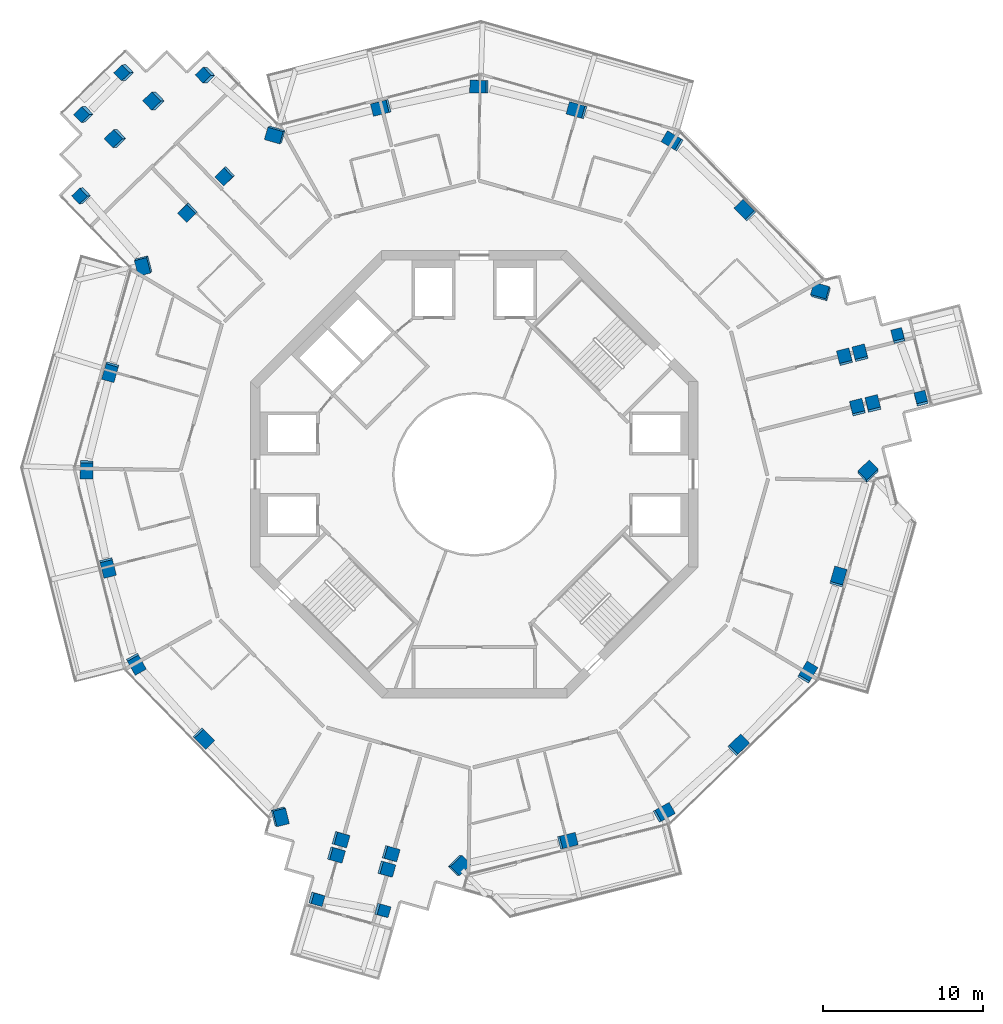
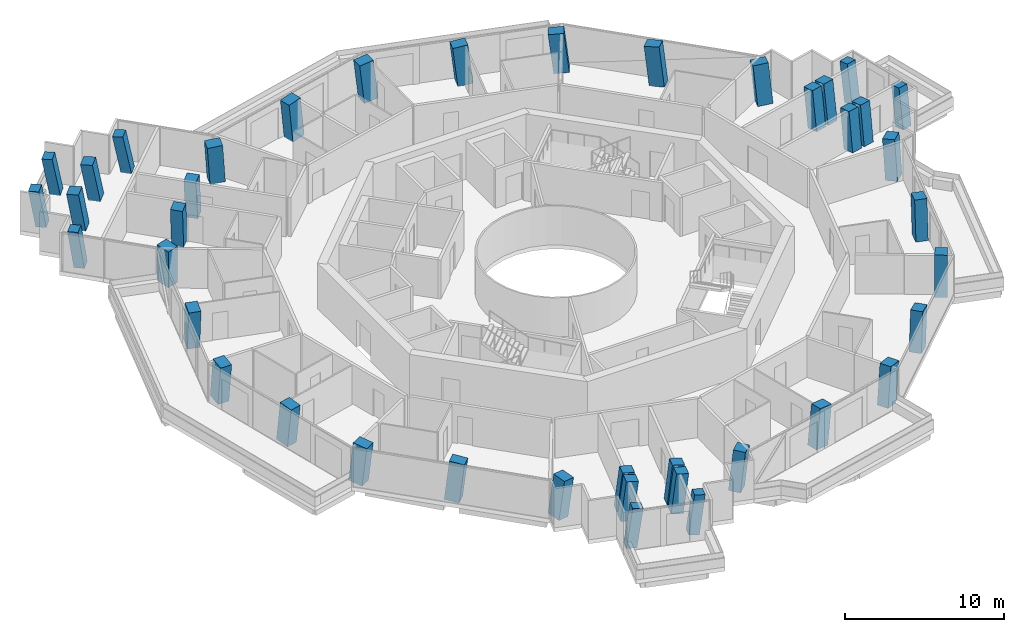
# One storey, part 1 of 24: 41 columns.
"""IFC4 building model written with IfcOpenShell, lengths in metres."""

from ifc_helpers import new_model, si_unit, direction, frame, origin, origin_2d, place, context, subcontext, project, spatial, rectangle, extrude, material, material_profile, profile_set, type_object, element, save


model = new_model("IFC4")

# Units and contexts
model_context = context("Model", 3, precision=1e-05, world=origin(), true_north=direction((0.0, 1.0)))
body_context = subcontext(model_context, "Body", "Model", "MODEL_VIEW")
ifc_project = project(units=[si_unit("LENGTHUNIT", "METRE"), si_unit("AREAUNIT", "SQUARE_METRE"), si_unit("VOLUMEUNIT", "CUBIC_METRE"), si_unit("PLANEANGLEUNIT", "RADIAN"), si_unit("MASSUNIT", "GRAM", prefix="KILO")], contexts=[model_context])

# Site, building, storey
site_placement = place(None, origin())
site = spatial("IfcSite", under=ifc_project, at=site_placement, CompositionType="ELEMENT")
building_placement = place(site_placement, origin())
building = spatial("IfcBuilding", under=site, at=building_placement, Name="Verdalira Terraces Hotel", CompositionType="ELEMENT")
storey_placement = place(building_placement, frame((0.0, 0.0, 212.5)))
storey = spatial("IfcBuildingStorey", under=building, at=storey_placement, Name="L52", CompositionType="ELEMENT", Elevation=212.5)

# Columns
ifc_material_1 = material(Name="Concrete C60", Category="concrete")
ifc_material_profile_1 = material_profile(ifc_material_1, rectangle(XDim=1.0, YDim=0.800049, at=origin_2d()), Name="RC 1000X800")
ifc_profile_set_1 = profile_set([ifc_material_profile_1], Name="Concrete C60")
column_type_1 = type_object("IfcColumnType", Name="Column RC 1000X800 C60", PredefinedType="COLUMN", material=ifc_profile_set_1)
column_1_placement = place(storey_placement, frame((-20.689697, 13.094971, 0.0), z_axis=(-0.061428163, -0.098931673, 0.993196408), x_axis=(-0.250648432, 0.964717679, 0.080592581)))
element("IfcColumn", 1, at=column_1_placement, inside=storey, type_object=column_type_1, Name="Column C03", PredefinedType="COLUMN", context=body_context, shape_type="SweptSolid", body=[
    extrude(rectangle(XDim=1.0, YDim=0.800049, at=origin_2d()), origin(), (0.0, 0.0, 1.0), 3.020508),
])
column_2_placement = place(storey_placement, frame((-22.76001, 6.45752, 0.0), z_axis=(-0.029838507, -0.108518363, 0.993646531), x_axis=(-0.271559126, -0.955819005, -0.112541864)))
element("IfcColumn", 2, at=column_2_placement, inside=storey, type_object=column_type_1, Name="Column C04", PredefinedType="COLUMN", context=body_context, shape_type="SweptSolid", body=[
    extrude(rectangle(XDim=1.0, YDim=0.800049, at=origin_2d()), origin(), (0.0, 0.0, 1.0), 3.019287),
])
column_3_placement = place(storey_placement, frame((-24.252197, 0.355713, 0.0), z_axis=(-0.000727532, -0.115354293, 0.993324145), x_axis=(0.014697649, 0.993215879, 0.115352485)))
element("IfcColumn", 3, at=column_3_placement, inside=storey, type_object=column_type_1, Name="Column C05", PredefinedType="COLUMN", context=body_context, shape_type="SweptSolid", body=[
    extrude(rectangle(XDim=1.0, YDim=0.800049, at=origin_2d()), origin(), (0.0, 0.0, 1.0), 3.020264),
])
column_4_placement = place(storey_placement, frame((-22.939453, -5.787598, 0.0), z_axis=(0.028463973, -0.108842351, 0.99365142), x_axis=(0.243234613, -0.96342149, -0.112498691)))
element("IfcColumn", 4, at=column_4_placement, inside=storey, type_object=column_type_1, Name="Column C06", PredefinedType="COLUMN", context=body_context, shape_type="SweptSolid", body=[
    extrude(rectangle(XDim=1.0, YDim=0.800049, at=origin_2d()), origin(), (0.0, 0.0, 1.0), 3.019287),
])
column_5_placement = place(storey_placement, frame((-21.180908, -11.818115, 0.0), z_axis=(0.057070939, -0.100237911, 0.993325359), x_axis=(-0.484131141, 0.867359933, 0.115342033)))
element("IfcColumn", 5, at=column_5_placement, inside=storey, type_object=column_type_1, Name="Column C07", PredefinedType="COLUMN", context=body_context, shape_type="SweptSolid", body=[
    extrude(rectangle(XDim=1.0, YDim=0.800049, at=origin_2d()), origin(), (0.0, 0.0, 1.0), 3.020264),
])
column_6_placement = place(storey_placement, frame((-16.972412, -16.481934, 0.0), z_axis=(0.079084312, -0.080054672, 0.993648288), x_axis=(0.692295124, -0.712786983, -0.112526346)))
element("IfcColumn", 6, at=column_6_placement, inside=storey, type_object=column_type_1, Name="Column C08", PredefinedType="COLUMN", context=body_context, shape_type="SweptSolid", body=[
    extrude(rectangle(XDim=1.0, YDim=0.800049, at=origin_2d()), origin(), (0.0, 0.0, 1.0), 3.019287),
])
column_7_placement = place(storey_placement, frame((-12.202881, -21.393555, 0.0), z_axis=(0.102237447, -0.057139822, 0.993117589), x_axis=(-0.237512, 0.968072348, 0.080149726)))
element("IfcColumn", 7, at=column_7_placement, inside=storey, type_object=column_type_1, Name="Column C09", PredefinedType="COLUMN", context=body_context, shape_type="SweptSolid", body=[
    extrude(rectangle(XDim=1.0, YDim=0.800049, at=origin_2d()), origin(), (0.0, 0.0, 1.0), 3.020752),
])
column_8_placement = place(storey_placement, frame((-0.995605, -24.465088, 0.0), z_axis=(0.116310459, -0.003798882, 0.993205641), x_axis=(-0.71056635, -0.699005782, 0.080538062)))
element("IfcColumn", 8, at=column_8_placement, inside=storey, type_object=column_type_1, Name="Column C12", PredefinedType="COLUMN", context=body_context, shape_type="SweptSolid", body=[
    extrude(rectangle(XDim=1.0, YDim=0.800049, at=origin_2d()), origin(), (0.0, 0.0, 1.0), 3.020508),
])
column_9_placement = place(storey_placement, frame((5.787598, -22.939453, 0.0), z_axis=(0.108842351, 0.028463973, 0.99365142), x_axis=(0.96342149, 0.243234613, -0.112498691)))
element("IfcColumn", 9, at=column_9_placement, inside=storey, type_object=column_type_1, Name="Column C13", PredefinedType="COLUMN", context=body_context, shape_type="SweptSolid", body=[
    extrude(rectangle(XDim=1.0, YDim=0.800049, at=origin_2d()), origin(), (0.0, 0.0, 1.0), 3.019287),
])
column_10_placement = place(storey_placement, frame((11.818115, -21.180908, 0.0), z_axis=(0.100237911, 0.057070939, 0.993325359), x_axis=(-0.867359933, -0.484131141, 0.115342033)))
element("IfcColumn", 10, at=column_10_placement, inside=storey, type_object=column_type_1, Name="Column C14", PredefinedType="COLUMN", context=body_context, shape_type="SweptSolid", body=[
    extrude(rectangle(XDim=1.0, YDim=0.800049, at=origin_2d()), origin(), (0.0, 0.0, 1.0), 3.020264),
])
column_11_placement = place(storey_placement, frame((16.481934, -16.972412, 0.0), z_axis=(0.080054672, 0.079084312, 0.993648288), x_axis=(0.712786983, 0.692295124, -0.112526346)))
element("IfcColumn", 11, at=column_11_placement, inside=storey, type_object=column_type_1, Name="Column C15", PredefinedType="COLUMN", context=body_context, shape_type="SweptSolid", body=[
    extrude(rectangle(XDim=1.0, YDim=0.800049, at=origin_2d()), origin(), (0.0, 0.0, 1.0), 3.019287),
])
column_12_placement = place(storey_placement, frame((20.825195, -12.434082, 0.0), z_axis=(0.058283654, 0.099510649, 0.993328066), x_axis=(-0.509282854, -0.852837949, 0.115318722)))
element("IfcColumn", 12, at=column_12_placement, inside=storey, type_object=column_type_1, Name="Column C16", PredefinedType="COLUMN", context=body_context, shape_type="SweptSolid", body=[
    extrude(rectangle(XDim=1.0, YDim=0.800049, at=origin_2d()), origin(), (0.0, 0.0, 1.0), 3.020264),
])
column_13_placement = place(storey_placement, frame((22.76001, -6.45752, 0.0), z_axis=(0.029838507, 0.108518363, 0.993646531), x_axis=(0.271559126, 0.955819005, -0.112541864)))
element("IfcColumn", 13, at=column_13_placement, inside=storey, type_object=column_type_1, Name="Column C17", PredefinedType="COLUMN", context=body_context, shape_type="SweptSolid", body=[
    extrude(rectangle(XDim=1.0, YDim=0.800049, at=origin_2d()), origin(), (0.0, 0.0, 1.0), 3.019287),
])
column_14_placement = place(storey_placement, frame((24.628662, 0.128906, 0.0), z_axis=(-0.001616418, 0.117028664, 0.993127222), x_axis=(-0.719717147, -0.689631939, 0.080093807)))
element("IfcColumn", 14, at=column_14_placement, inside=storey, type_object=column_type_1, Name="Column C18", PredefinedType="COLUMN", context=body_context, shape_type="SweptSolid", body=[
    extrude(rectangle(XDim=1.0, YDim=0.800049, at=origin_2d()), origin(), (0.0, 0.0, 1.0), 3.020752),
])
column_15_placement = place(storey_placement, frame((21.685303, 11.370361, 0.0), z_axis=(-0.054962126, 0.102649853, 0.993197952), x_axis=(0.960807871, -0.265244303, 0.080583465)))
element("IfcColumn", 15, at=column_15_placement, inside=storey, type_object=column_type_1, Name="Column C21", PredefinedType="COLUMN", context=body_context, shape_type="SweptSolid", body=[
    extrude(rectangle(XDim=1.0, YDim=0.800049, at=origin_2d()), origin(), (0.0, 0.0, 1.0), 3.020508),
])
column_16_placement = place(storey_placement, frame((16.972412, 16.481934, 0.0), z_axis=(-0.079084312, 0.080054672, 0.993648288), x_axis=(-0.692295124, 0.712786983, -0.112526346)))
element("IfcColumn", 16, at=column_16_placement, inside=storey, type_object=column_type_1, Name="Column C22", PredefinedType="COLUMN", context=body_context, shape_type="SweptSolid", body=[
    extrude(rectangle(XDim=1.0, YDim=0.800049, at=origin_2d()), origin(), (0.0, 0.0, 1.0), 3.019287),
])
column_17_placement = place(storey_placement, frame((12.434082, 20.825195, 0.0), z_axis=(-0.099510649, 0.058283654, 0.993328066), x_axis=(0.852837949, -0.509282854, 0.115318722)))
element("IfcColumn", 17, at=column_17_placement, inside=storey, type_object=column_type_1, Name="Column C23", PredefinedType="COLUMN", context=body_context, shape_type="SweptSolid", body=[
    extrude(rectangle(XDim=1.0, YDim=0.800049, at=origin_2d()), origin(), (0.0, 0.0, 1.0), 3.020264),
])
column_18_placement = place(storey_placement, frame((6.45752, 22.76001, 0.0), z_axis=(-0.108518363, 0.029838507, 0.993646531), x_axis=(-0.955819005, 0.271559126, -0.112541864)))
element("IfcColumn", 18, at=column_18_placement, inside=storey, type_object=column_type_1, Name="Column C24", PredefinedType="COLUMN", context=body_context, shape_type="SweptSolid", body=[
    extrude(rectangle(XDim=1.0, YDim=0.800049, at=origin_2d()), origin(), (0.0, 0.0, 1.0), 3.019287),
])
column_19_placement = place(storey_placement, frame((0.355713, 24.252197, 0.0), z_axis=(-0.115354293, 0.000727532, 0.993324145), x_axis=(0.993215879, -0.014697649, 0.115352485)))
element("IfcColumn", 19, at=column_19_placement, inside=storey, type_object=column_type_1, Name="Column C25", PredefinedType="COLUMN", context=body_context, shape_type="SweptSolid", body=[
    extrude(rectangle(XDim=1.0, YDim=0.800049, at=origin_2d()), origin(), (0.0, 0.0, 1.0), 3.020264),
])
column_20_placement = place(storey_placement, frame((-5.787598, 22.939453, 0.0), z_axis=(-0.108842351, -0.028463973, 0.99365142), x_axis=(-0.96342149, -0.243234613, -0.112498691)))
element("IfcColumn", 20, at=column_20_placement, inside=storey, type_object=column_type_1, Name="Column C26", PredefinedType="COLUMN", context=body_context, shape_type="SweptSolid", body=[
    extrude(rectangle(XDim=1.0, YDim=0.800049, at=origin_2d()), origin(), (0.0, 0.0, 1.0), 3.019287),
])
column_21_placement = place(storey_placement, frame((-12.425781, 21.264648, 0.0), z_axis=(-0.100621363, -0.059887895, 0.993120728), x_axis=(0.956942549, -0.278998029, 0.080131505)))
element("IfcColumn", 21, at=column_21_placement, inside=storey, type_object=column_type_1, Name="Column C27", PredefinedType="COLUMN", context=body_context, shape_type="SweptSolid", body=[
    extrude(rectangle(XDim=1.0, YDim=0.800049, at=origin_2d()), origin(), (0.0, 0.0, 1.0), 3.020752),
])
ifc_material_2 = material(Name="Concrete C60", Category="concrete")
ifc_material_profile_2 = material_profile(ifc_material_2, rectangle(XDim=0.699951, YDim=0.699951, at=origin_2d()), Name="RC 700X700")
ifc_profile_set_2 = profile_set([ifc_material_profile_2], Name="Concrete C60")
column_type_2 = type_object("IfcColumnType", Name="Column RC 700X700 C60", PredefinedType="COLUMN", material=ifc_profile_set_2)
column_22_placement = place(storey_placement, frame((-16.71875, 24.967529, 0.0), z_axis=(-0.202727655, 0.006614149, 0.979212822), x_axis=(-0.67437339, 0.724111963, -0.144507422)))
element("IfcColumn", 22, at=column_22_placement, inside=storey, type_object=column_type_2, Name="Column C01", PredefinedType="COLUMN", context=body_context, shape_type="SweptSolid", body=[
    extrude(rectangle(XDim=0.699951, YDim=0.699951, at=origin_2d()), origin(), (0.0, 0.0, 1.0), 3.063721),
])
column_23_placement = place(storey_placement, frame((-24.495117, 17.444092, 0.0), z_axis=(-0.168147863, -0.029748621, 0.985312801), x_axis=(0.683921452, -0.723360419, 0.094874395)))
element("IfcColumn", 23, at=column_23_placement, inside=storey, type_object=column_type_2, Name="Column C02", PredefinedType="COLUMN", context=body_context, shape_type="SweptSolid", body=[
    extrude(rectangle(XDim=0.699951, YDim=0.699951, at=origin_2d()), origin(), (0.0, 0.0, 1.0), 3.044678),
])
column_24_placement = place(storey_placement, frame((-9.925781, -26.557617, 0.0), z_axis=(0.126364199, -0.04604592, 0.99091466), x_axis=(0.953657409, -0.269345415, -0.13412902)))
element("IfcColumn", 24, at=column_24_placement, inside=storey, type_object=column_type_2, Name="Column C10", PredefinedType="COLUMN", context=body_context, shape_type="SweptSolid", body=[
    extrude(rectangle(XDim=0.699951, YDim=0.699951, at=origin_2d()), origin(), (0.0, 0.0, 1.0), 3.027588),
])
column_25_placement = place(storey_placement, frame((-5.803711, -27.269775, 0.0), z_axis=(0.129628402, -0.026458068, 0.991209588), x_axis=(0.953252035, -0.271859145, -0.131921047)))
element("IfcColumn", 25, at=column_25_placement, inside=storey, type_object=column_type_2, Name="Column C11", PredefinedType="COLUMN", context=body_context, shape_type="SweptSolid", body=[
    extrude(rectangle(XDim=0.699951, YDim=0.699951, at=origin_2d()), origin(), (0.0, 0.0, 1.0), 3.026611),
])
column_26_placement = place(storey_placement, frame((27.962402, 4.682617, 0.0), z_axis=(-0.023305094, 0.132492282, 0.99091002), x_axis=(-0.243524497, 0.960570706, -0.134163106)))
element("IfcColumn", 26, at=column_26_placement, inside=storey, type_object=column_type_2, Name="Column C19", PredefinedType="COLUMN", context=body_context, shape_type="SweptSolid", body=[
    extrude(rectangle(XDim=0.699951, YDim=0.699951, at=origin_2d()), origin(), (0.0, 0.0, 1.0), 3.027588),
])
column_27_placement = place(storey_placement, frame((26.518066, 8.608643, 0.0), z_axis=(-0.04186499, 0.125514306, 0.991208092), x_axis=(-0.240886764, 0.961544307, -0.131932224)))
element("IfcColumn", 27, at=column_27_placement, inside=storey, type_object=column_type_2, Name="Column C20", PredefinedType="COLUMN", context=body_context, shape_type="SweptSolid", body=[
    extrude(rectangle(XDim=0.699951, YDim=0.699951, at=origin_2d()), origin(), (0.0, 0.0, 1.0), 3.026611),
])
column_28_placement = place(storey_placement, frame((-21.808105, 25.141113, 0.0), z_axis=(-0.203236804, -0.017208604, 0.978978379), x_axis=(-0.694046574, -0.702728049, -0.156437343)))
element("IfcColumn", 28, at=column_28_placement, inside=storey, type_object=column_type_2, Name="Column C28", PredefinedType="COLUMN", context=body_context, shape_type="SweptSolid", body=[
    extrude(rectangle(XDim=0.699951, YDim=0.699951, at=origin_2d()), origin(), (0.0, 0.0, 1.0), 3.064453),
])
column_29_placement = place(storey_placement, frame((-24.335449, 22.533447, 0.0), z_axis=(-0.191378817, -0.029062115, 0.981085899), x_axis=(-0.695808484, -0.700970739, -0.156494652)))
element("IfcColumn", 29, at=column_29_placement, inside=storey, type_object=column_type_2, Name="Column C29", PredefinedType="COLUMN", context=body_context, shape_type="SweptSolid", body=[
    extrude(rectangle(XDim=0.699951, YDim=0.699951, at=origin_2d()), origin(), (0.0, 0.0, 1.0), 3.057861),
])
ifc_material_3 = material(Name="Concrete C60", Category="concrete")
ifc_material_profile_3 = material_profile(ifc_material_3, rectangle(XDim=0.800049, YDim=0.800049, at=origin_2d()), Name="RC 800X800")
ifc_profile_set_3 = profile_set([ifc_material_profile_3], Name="Concrete C60")
column_type_3 = type_object("IfcColumnType", Name="Column RC 800X800 C60", PredefinedType="COLUMN", material=ifc_profile_set_3)
for number, where, z_axis, x_axis, name in (
    (30, (-15.568115, 18.696289, 0.0), (-0.088270021, -0.074851685, 0.993280237), (-0.69641312, 0.717598598, -0.007811428), "Column C30"),
    (31, (-17.904297, 16.42749, 0.0), (-0.077359634, -0.085766532, 0.993307399), (-0.697364968, 0.716676219, 0.007569596), "Column C31"),
):
    element("IfcColumn", number, at=place(storey_placement, frame(where, z_axis=z_axis, x_axis=x_axis)), inside=storey, type_object=column_type_3, Name=name, PredefinedType="COLUMN", context=body_context, shape_type="SweptSolid", body=[
        extrude(rectangle(XDim=0.800049, YDim=0.800049, at=origin_2d()), origin(), (0.0, 0.0, 1.0), 3.020264),
    ])
column_30_placement = place(storey_placement, frame((-19.945068, 23.36792, 0.0), z_axis=(-0.195372364, -0.008459751, 0.980692649), x_axis=(-0.677093731, 0.724566059, -0.128639441)))
element("IfcColumn", 32, at=column_30_placement, inside=storey, type_object=column_type_3, Name="Column C32", PredefinedType="COLUMN", context=body_context, shape_type="SweptSolid", body=[
    extrude(rectangle(XDim=0.800049, YDim=0.800049, at=origin_2d()), origin(), (0.0, 0.0, 1.0), 3.059082),
])
column_31_placement = place(storey_placement, frame((-22.363281, 21.019287, 0.0), z_axis=(-0.184638816, -0.019751316, 0.982607955), x_axis=(-0.680058289, 0.724361995, -0.113227309)))
element("IfcColumn", 33, at=column_31_placement, inside=storey, type_object=column_type_3, Name="Column C33", PredefinedType="COLUMN", context=body_context, shape_type="SweptSolid", body=[
    extrude(rectangle(XDim=0.800049, YDim=0.800049, at=origin_2d()), origin(), (0.0, 0.0, 1.0), 3.052979),
])
for number, where, z_axis, x_axis, name in (
    (34, (-8.407227, -22.830566, 0.0), (0.108883323, -0.039042795, 0.993287512), (-0.273654508, -0.96179637, -0.007807212), "Column C34"),
    (35, (-5.274414, -23.719238, 0.0), (0.112927488, -0.024169878, 0.993309216), (-0.272497155, -0.96212682, 0.007568572), "Column C35"),
):
    element("IfcColumn", number, at=place(storey_placement, frame(where, z_axis=z_axis, x_axis=x_axis)), inside=storey, type_object=column_type_3, Name=name, PredefinedType="COLUMN", context=body_context, shape_type="SweptSolid", body=[
        extrude(rectangle(XDim=0.800049, YDim=0.800049, at=origin_2d()), origin(), (0.0, 0.0, 1.0), 3.020264),
    ])
for number, where, z_axis, x_axis, name in (
    (36, (-8.696289, -23.787842, 0.0), (0.113346826, -0.04039445, 0.992733995), (-0.274084502, -0.961673683, -0.007836612), "Column C36"),
    (37, (-5.547607, -24.681396, 0.0), (0.117548918, -0.025367945, 0.992743028), (-0.271902112, -0.96229486, 0.007605549), "Column C37"),
):
    element("IfcColumn", number, at=place(storey_placement, frame(where, z_axis=z_axis, x_axis=x_axis)), inside=storey, type_object=column_type_3, Name=name, PredefinedType="COLUMN", context=body_context, shape_type="SweptSolid", body=[
        extrude(rectangle(XDim=0.800049, YDim=0.800049, at=origin_2d()), origin(), (0.0, 0.0, 1.0), 3.021973),
    ])
for number, where, z_axis, x_axis, name in (
    (38, (23.975342, 4.134277, 0.0), (-0.02061267, 0.113814272, 0.99328819), (0.969801402, 0.243770988, -0.007806819), "Column C38"),
    (39, (23.178711, 7.291748, 0.0), (-0.035567458, 0.10993578, 0.993302109), (0.9694376, 0.245221118, 0.007572577), "Column C39"),
):
    element("IfcColumn", number, at=place(storey_placement, frame(where, z_axis=z_axis, x_axis=x_axis)), inside=storey, type_object=column_type_3, Name=name, PredefinedType="COLUMN", context=body_context, shape_type="SweptSolid", body=[
        extrude(rectangle(XDim=0.800049, YDim=0.800049, at=origin_2d()), origin(), (0.0, 0.0, 1.0), 3.020264),
    ])
for number, where, z_axis, x_axis, name in (
    (40, (24.949219, 4.362793, 0.0), (-0.021732201, 0.118355669, 0.992733422), (0.969792616, 0.243804972, -0.00783692), "Column C40"),
    (41, (24.148438, 7.536377, 0.0), (-0.036759368, 0.114479176, 0.992745318), (0.969408719, 0.245334281, 0.007604353), "Column C41"),
):
    element("IfcColumn", number, at=place(storey_placement, frame(where, z_axis=z_axis, x_axis=x_axis)), inside=storey, type_object=column_type_3, Name=name, PredefinedType="COLUMN", context=body_context, shape_type="SweptSolid", body=[
        extrude(rectangle(XDim=0.800049, YDim=0.800049, at=origin_2d()), origin(), (0.0, 0.0, 1.0), 3.021973),
    ])

save(model, "model.ifc")
